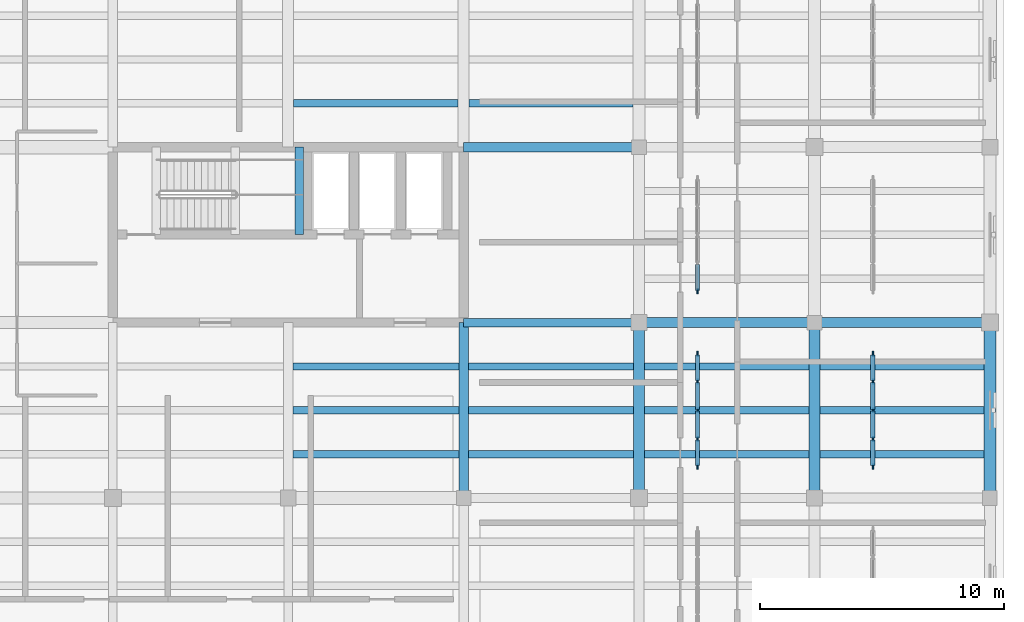
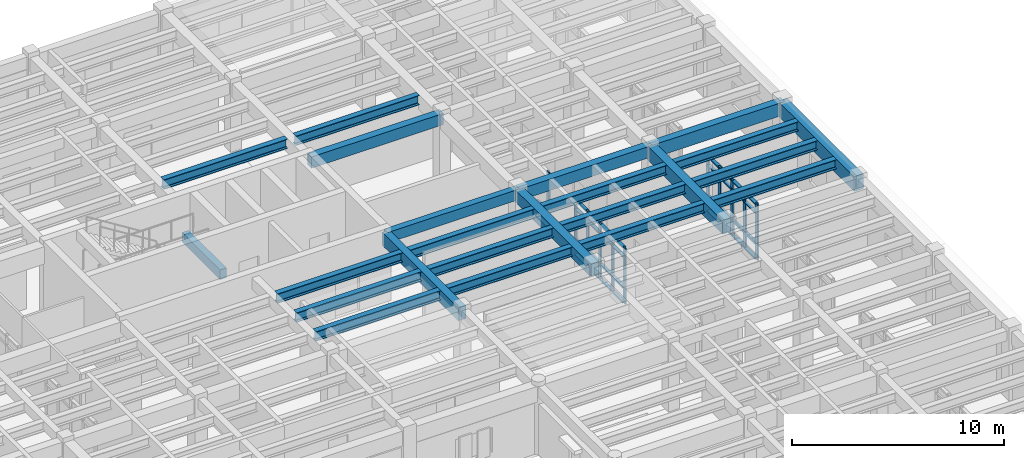
# One storey, part 20 of 66: 45 members, 23 beams, 3 elements without a shape of their own.
"""IFC4 building model written with IfcOpenShell, lengths in metres."""

import ifcopenshell
import ifcopenshell.guid

model = None  # the IFC model being written
_history = None  # IfcOwnerHistory: only IFC2X3 demands one
_inside = {}  # id of a spatial element -> (the spatial element, [elements in it])
_under = {}  # id of a project, library or spatial element -> (it, [spatial elements below it])
_declared = {}  # id of a project -> (the project, [libraries it declares])
_typed = {}  # id of a type object -> (the type object, [elements of that type])
_made_of = {}  # id of a material, layer set ... -> (it, [elements and type objects made of it])


def new_model(schema):
    """Start an empty IFC model of exactly this schema.

    Asked for "IFC4X3", IfcOpenShell would pick the latest addendum, in which some entities
    have other attributes; the version numbers below select the first issue.
    IFC2X3 requires an IfcOwnerHistory on every rooted entity: one is made here for all.
    """
    global model, _history
    if schema == "IFC4X3":
        model = ifcopenshell.file(schema_version=(4, 3, 0, 0))
    else:
        model = ifcopenshell.file(schema=schema)
    _inside.clear()
    _under.clear()
    _declared.clear()
    _typed.clear()
    _made_of.clear()
    _history = None
    if model.schema == "IFC2X3":
        org = make("IfcOrganization", Name="unknown")
        user = make(
            "IfcPersonAndOrganization",
            ThePerson=make("IfcPerson", FamilyName="unknown"),
            TheOrganization=org,
        )
        app = make(
            "IfcApplication",
            ApplicationDeveloper=org,
            Version="unknown",
            ApplicationFullName="unknown",
            ApplicationIdentifier="unknown",
        )
        _history = make(
            "IfcOwnerHistory",
            OwningUser=user,
            OwningApplication=app,
            ChangeAction="ADDED",
            CreationDate=0,
        )
    return model


def make(cls, **values):
    """One entity of the class cls with the attributes given. An attribute that is None is left unset."""
    return model.create_entity(
        cls, **{name: value for name, value in values.items() if value is not None}
    )


def rooted(cls, **values):
    """An entity with a GlobalId (a new one), such as an element, a storey or a relation."""
    return make(cls, GlobalId=ifcopenshell.guid.new(), OwnerHistory=_history, **values)


def si_unit(unit_type, name, prefix=None):
    """IfcSIUnit, for example si_unit("LENGTHUNIT", "METRE", prefix="MILLI")."""
    return make("IfcSIUnit", UnitType=unit_type, Prefix=prefix, Name=name)


def assignment(units):
    """IfcUnitAssignment: the units of a project."""
    return None if units is None else make("IfcUnitAssignment", Units=units)


def point(xyz):
    """IfcCartesianPoint."""
    return None if xyz is None else make("IfcCartesianPoint", Coordinates=xyz)


def direction(xyz):
    """IfcDirection."""
    return None if xyz is None else make("IfcDirection", DirectionRatios=xyz)


def frame(location, z_axis=None, x_axis=None):
    """IfcAxis2Placement3D, a coordinate frame: its origin and axes. An axis left out is left unset."""
    return make(
        "IfcAxis2Placement3D",
        Location=point(location),
        Axis=direction(z_axis),
        RefDirection=direction(x_axis),
    )


def frame_2d(location, x_axis=None):
    """IfcAxis2Placement2D, a coordinate frame in the plane: its origin and x axis."""
    return make(
        "IfcAxis2Placement2D", Location=point(location), RefDirection=direction(x_axis)
    )


def origin():
    """The frame at (0, 0, 0) with its axes left unset."""
    return frame((0.0, 0.0, 0.0))


def origin_2d():
    """The frame at (0, 0) in the plane with its x axis left unset."""
    return frame_2d((0.0, 0.0))


def place(relative_to, where):
    """IfcLocalPlacement: puts the frame where relative to a parent placement (None: the world)."""
    return make(
        "IfcLocalPlacement", PlacementRelTo=relative_to, RelativePlacement=where
    )


def context(
    kind, dimensions, precision=None, world=None, true_north=None, identifier=None
):
    """IfcGeometricRepresentationContext, for example the 3D "Model" context."""
    return make(
        "IfcGeometricRepresentationContext",
        ContextIdentifier=identifier,
        ContextType=kind,
        CoordinateSpaceDimension=dimensions,
        Precision=precision,
        WorldCoordinateSystem=world,
        TrueNorth=true_north,
    )


def subcontext(parent, identifier, kind, view, scale=None):
    """IfcGeometricRepresentationSubContext, for example "Body" below "Model"."""
    return make(
        "IfcGeometricRepresentationSubContext",
        ContextIdentifier=identifier,
        ContextType=kind,
        ParentContext=parent,
        TargetScale=scale,
        TargetView=view,
    )


def project(units=None, contexts=None):
    """IfcProject with its units and contexts."""
    return rooted(
        "IfcProject",
        Name="project",
        RepresentationContexts=contexts,
        UnitsInContext=assignment(units),
    )


def spatial(cls, under=None, at=None, **own):
    """A site, building, storey or space (cls), placed at a placement, below another one or the project."""
    s = rooted(cls, ObjectPlacement=at, **own)
    if under is not None:
        _under.setdefault(under.id(), (under, []))[1].append(s)
    return s


def profile(cls, at=None, kind="AREA", **sizes):
    """A parametric profile (cls). Its sizes go by their IFC names, for example OverallWidth=200.0."""
    return make(cls, ProfileType=kind, Position=at, **sizes)


def rectangle(**sizes):
    """IfcRectangleProfileDef."""
    return profile("IfcRectangleProfileDef", **sizes)


def i_section(**sizes):
    """IfcIShapeProfileDef."""
    return profile("IfcIShapeProfileDef", **sizes)


def extrude(swept, where, along, depth):
    """IfcExtrudedAreaSolid: the profile swept, set in the frame where, extruded along a direction by depth."""
    return make(
        "IfcExtrudedAreaSolid",
        SweptArea=swept,
        Position=where,
        ExtrudedDirection=direction(along),
        Depth=depth,
    )


def shape(context_of_items, identifier, shape_type, items):
    """IfcShapeRepresentation: the items that make up one representation, for example the "Body"."""
    return make(
        "IfcShapeRepresentation",
        ContextOfItems=context_of_items,
        RepresentationIdentifier=identifier,
        RepresentationType=shape_type,
        Items=items,
    )


def material(Name=None, Category=None):
    """IfcMaterial."""
    return make("IfcMaterial", Name=Name, Category=Category)


def material_profile(
    of_material, cross_section, Name=None, Category=None, Priority=None
):
    """IfcMaterialProfile: a cross section and its material."""
    return make(
        "IfcMaterialProfile",
        Name=Name,
        Material=of_material,
        Profile=cross_section,
        Priority=Priority,
        Category=Category,
    )


def profile_set(profiles, Name=None, composite=None):
    """IfcMaterialProfileSet."""
    return make(
        "IfcMaterialProfileSet",
        Name=Name,
        MaterialProfiles=profiles,
        CompositeProfile=composite,
    )


def made_of(thing, what):
    """Note that an element or type object is made of a material, layer set ...; save() writes the relation."""
    if what is not None:
        _made_of.setdefault(what.id(), (what, []))[1].append(thing)
    return thing


def type_object(cls, material=None, **own):
    """A type object (cls), such as IfcWallType, which elements share."""
    return made_of(rooted(cls, **own), material)


def element(
    cls,
    number,
    at=None,
    inside=None,
    cuts=None,
    type_object=None,
    material=None,
    context=None,
    identifier="Body",
    shape_type=None,
    held_by="IfcProductDefinitionShape",
    body=None,
    shapes=None,
    **own,
):
    """One element of the class cls, such as IfcWall. Its Tag is "e" and its number.

    at: its placement. inside: the storey or other place that contains it. cuts: it is an
    opening in that element (IfcRelVoidsElement). A single representation is given by context,
    identifier, shape_type and body (its items); several are given by shapes. held_by: the class
    of the entity that holds the representations. save() writes the other relations.
    """
    e = rooted(cls, Tag="e%d" % number, ObjectPlacement=at, **own)
    if body is not None:
        shapes = [shape(context, identifier, shape_type, body)]
    if shapes is not None:
        e.Representation = make(held_by, Representations=shapes)
    if inside is not None:
        _inside.setdefault(inside.id(), (inside, []))[1].append(e)
    if cuts is not None:
        rooted(
            "IfcRelVoidsElement", RelatingBuildingElement=cuts, RelatedOpeningElement=e
        )
    if type_object is not None:
        _typed.setdefault(type_object.id(), (type_object, []))[1].append(e)
    return made_of(e, material)


def aggregate(whole, parts):
    """IfcRelAggregates: a whole, such as a stair, and the parts it consists of."""
    return rooted("IfcRelAggregates", RelatingObject=whole, RelatedObjects=parts)


def save(model, path):
    """Write the relations noted so far, then the file.

    IfcRelAggregates (storeys below a building ...), IfcRelContainedInSpatialStructure (elements
    in a storey), IfcRelDefinesByType, IfcRelAssociatesMaterial and IfcRelDeclares: one each for
    every whole, place, type object, material and project.
    """
    for whole, parts in _under.values():
        aggregate(whole, parts)
    for where, things in _inside.values():
        rooted(
            "IfcRelContainedInSpatialStructure",
            RelatedElements=things,
            RelatingStructure=where,
        )
    for kind, things in _typed.values():
        rooted("IfcRelDefinesByType", RelatedObjects=things, RelatingType=kind)
    for what, things in _made_of.values():
        rooted("IfcRelAssociatesMaterial", RelatedObjects=things, RelatingMaterial=what)
    for by, libraries in _declared.values():
        rooted("IfcRelDeclares", RelatingContext=by, RelatedDefinitions=libraries)
    model.write(path)


model = new_model("IFC4")

# Units and contexts
model_context = context("Model", 3, precision=1e-05, world=origin(), true_north=direction((0.0, 1.0)))
body_context = subcontext(model_context, "Body", "Model", "MODEL_VIEW")
ifc_project = project(units=[si_unit("LENGTHUNIT", "METRE"), si_unit("AREAUNIT", "SQUARE_METRE"), si_unit("VOLUMEUNIT", "CUBIC_METRE"), si_unit("PLANEANGLEUNIT", "RADIAN"), si_unit("MASSUNIT", "GRAM", prefix="KILO")], contexts=[model_context])

# Site, building, storey
site_placement = place(None, origin())
site = spatial("IfcSite", under=ifc_project, at=site_placement, CompositionType="ELEMENT")
building_placement = place(site_placement, origin())
building = spatial("IfcBuilding", under=site, at=building_placement, Name="Mithqara Police Headquarters", CompositionType="ELEMENT")
storey_placement = place(building_placement, frame((0.0, 0.0, 9.60009765625)))
storey = spatial("IfcBuildingStorey", under=building, at=storey_placement, Name="L02", CompositionType="ELEMENT", Elevation=9.60009765625)

# Beams
ifc_material_1 = material(Name="Steel S355JR", Category="steel")
ifc_material_profile_1 = material_profile(ifc_material_1, i_section(OverallWidth=0.300048828125, OverallDepth=0.550048828125, WebThickness=0.014892578125, FlangeThickness=0.029052734375, FilletRadius=0.027099609375, at=origin_2d()), Name="HEB 550")
ifc_profile_set_1 = profile_set([ifc_material_profile_1], Name="Steel S355JR")
beam_type_1 = type_object("IfcBeamType", Name="BEAM HEB550", PredefinedType="BEAM", material=ifc_profile_set_1)
for number, where, z_axis, x_axis, name in (
    (1, (137.60009765625, 87.60009765625, 3.664794921875), (1.0, 0.0, 0.0), (0.0, 1.0, 0.0), "L02 Composite Steel Joist 20-21/N.1"),
    (2, (137.60009765625, 89.39990234375, 3.664794921875), (1.0, 0.0, 0.0), (0.0, 1.0, 0.0), "L02 Composite Steel Joist 20-21/N.2"),
    (3, (137.60009765625, 91.199951171875, 3.664794921875), (1.0, 0.0, 0.0), (0.0, 1.0, 0.0), "L02 Composite Steel Joist 20-21/N.3"),
):
    element("IfcBeam", number, at=place(storey_placement, frame(where, z_axis=z_axis, x_axis=x_axis)), inside=storey, type_object=beam_type_1, Name=name, PredefinedType="BEAM", context=body_context, shape_type="SweptSolid", body=[
        extrude(i_section(OverallWidth=0.300048828125, OverallDepth=0.550048828125, WebThickness=0.014892578125, FlangeThickness=0.029052734375, FilletRadius=0.027099609375, at=origin_2d()), origin(), (0.0, 0.0, 1.0), 6.7998046875),
    ])
beam_1_placement = place(storey_placement, frame((137.625, 102.0, 3.664794921875), z_axis=(1.0, 0.0, 0.0), x_axis=(0.0, 1.0, 0.0)))
element("IfcBeam", 4, at=beam_1_placement, inside=storey, type_object=beam_type_1, Name="L02 Composite Steel Joist 20-21/Q.1", PredefinedType="BEAM", context=body_context, shape_type="SweptSolid", body=[
    extrude(i_section(OverallWidth=0.300048828125, OverallDepth=0.550048828125, WebThickness=0.014892578125, FlangeThickness=0.029052734375, FilletRadius=0.027099609375, at=origin_2d()), origin(), (0.0, 0.0, 1.0), 6.75),
])
for number, where, z_axis, x_axis, name in (
    (5, (144.800048828125, 87.60009765625, 3.664794921875), (1.0, 0.0, 0.0), (0.0, 1.0, 0.0), "L02 Composite Steel Joist 21-22/N.1"),
    (6, (144.800048828125, 89.39990234375, 3.664794921875), (1.0, 0.0, 0.0), (0.0, 1.0, 0.0), "L02 Composite Steel Joist 21-22/N.2"),
    (7, (144.800048828125, 91.199951171875, 3.664794921875), (1.0, 0.0, 0.0), (0.0, 1.0, 0.0), "L02 Composite Steel Joist 21-22/N.3"),
):
    element("IfcBeam", number, at=place(storey_placement, frame(where, z_axis=z_axis, x_axis=x_axis)), inside=storey, type_object=beam_type_1, Name=name, PredefinedType="BEAM", context=body_context, shape_type="SweptSolid", body=[
        extrude(i_section(OverallWidth=0.300048828125, OverallDepth=0.550048828125, WebThickness=0.014892578125, FlangeThickness=0.029052734375, FilletRadius=0.027099609375, at=origin_2d()), origin(), (0.0, 0.0, 1.0), 6.77490234375),
    ])
beam_2_placement = place(storey_placement, frame((144.824951171875, 102.0, 3.664794921875), z_axis=(1.0, 0.0, 0.0), x_axis=(0.0, 1.0, 0.0)))
element("IfcBeam", 8, at=beam_2_placement, inside=storey, type_object=beam_type_1, Name="L02 Composite Steel Joist 21-22/Q.1", PredefinedType="BEAM", context=body_context, shape_type="SweptSolid", body=[
    extrude(i_section(OverallWidth=0.300048828125, OverallDepth=0.550048828125, WebThickness=0.014892578125, FlangeThickness=0.029052734375, FilletRadius=0.027099609375, at=origin_2d()), origin(), (0.0, 0.0, 1.0), 6.72509765625),
])
for number, where, z_axis, x_axis, name in (
    (9, (152.02490234375, 87.60009765625, 3.664794921875), (1.0, 0.0, 0.0), (0.0, 1.0, 0.0), "L02 Composite Steel Joist 22-23/N.1"),
    (10, (152.02490234375, 89.39990234375, 3.664794921875), (1.0, 0.0, 0.0), (0.0, 1.0, 0.0), "L02 Composite Steel Joist 22-23/N.2"),
    (11, (152.02490234375, 91.199951171875, 3.664794921875), (1.0, 0.0, 0.0), (0.0, 1.0, 0.0), "L02 Composite Steel Joist 22-23/N.3"),
):
    element("IfcBeam", number, at=place(storey_placement, frame(where, z_axis=z_axis, x_axis=x_axis)), inside=storey, type_object=beam_type_1, Name=name, PredefinedType="BEAM", context=body_context, shape_type="SweptSolid", body=[
        extrude(i_section(OverallWidth=0.300048828125, OverallDepth=0.550048828125, WebThickness=0.014892578125, FlangeThickness=0.029052734375, FilletRadius=0.027099609375, at=origin_2d()), origin(), (0.0, 0.0, 1.0), 6.75),
    ])
for number, where, z_axis, x_axis, name in (
    (12, (159.22509765625, 87.60009765625, 3.664794921875), (1.0, 0.0, 0.0), (0.0, 1.0, 0.0), "L02 Composite Steel Joist 23-24/N.1"),
    (13, (159.22509765625, 89.39990234375, 3.664794921875), (1.0, 0.0, 0.0), (0.0, 1.0, 0.0), "L02 Composite Steel Joist 23-24/N.2"),
    (14, (159.22509765625, 91.199951171875, 3.664794921875), (1.0, 0.0, 0.0), (0.0, 1.0, 0.0), "L02 Composite Steel Joist 23-24/N.3"),
):
    element("IfcBeam", number, at=place(storey_placement, frame(where, z_axis=z_axis, x_axis=x_axis)), inside=storey, type_object=beam_type_1, Name=name, PredefinedType="BEAM", context=body_context, shape_type="SweptSolid", body=[
        extrude(i_section(OverallWidth=0.300048828125, OverallDepth=0.550048828125, WebThickness=0.014892578125, FlangeThickness=0.029052734375, FilletRadius=0.027099609375, at=origin_2d()), origin(), (0.0, 0.0, 1.0), 6.724853515625),
    ])
ifc_material_2 = material(Name="Concrete C40/50", Category="concrete")
ifc_material_profile_2 = material_profile(ifc_material_2, rectangle(XDim=0.35009765625, YDim=0.550048828125, at=origin_2d()), Name="RC 350x550")
ifc_profile_set_2 = profile_set([ifc_material_profile_2], Name="Concrete C40/50")
beam_type_2 = type_object("IfcBeamType", Name="BEAM RC350X550", PredefinedType="BEAM", material=ifc_profile_set_2)
beam_3_placement = place(storey_placement, frame((137.85009765625, 96.6201171875, 1.635009765625), z_axis=(0.0, 1.0, 0.0), x_axis=(-1.0, 0.0, 0.0)))
element("IfcBeam", 15, at=beam_3_placement, inside=storey, type_object=beam_type_2, Name="L02 ST-02 Half-Landing Bearer LB", PredefinedType="BEAM", context=body_context, shape_type="SweptSolid", body=[
    extrude(rectangle(XDim=0.35009765625, YDim=0.550048828125, at=origin_2d()), origin(), (0.0, 0.0, 1.0), 3.579833984375),
])
ifc_material_profile_3 = material_profile(ifc_material_2, rectangle(XDim=0.35009765625, YDim=0.60009765625, at=origin_2d()), Name="RC 350x600")
ifc_profile_set_3 = profile_set([ifc_material_profile_3], Name="Concrete C40/50")
beam_type_3 = type_object("IfcBeamType", Name="BEAM RC350X600", PredefinedType="BEAM", material=ifc_profile_set_3)
beam_4_placement = place(storey_placement, frame((144.60009765625, 93.0, 3.639892578125), z_axis=(1.0, 0.0, 0.0), x_axis=(0.0, 1.0, 0.0)))
element("IfcBeam", 16, at=beam_4_placement, inside=storey, type_object=beam_type_3, Name="L02 Girder 21-22/P", PredefinedType="BEAM", context=body_context, shape_type="SweptSolid", body=[
    extrude(rectangle(XDim=0.35009765625, YDim=0.60009765625, at=origin_2d()), origin(), (0.0, 0.0, 1.0), 7.199951171875),
])
ifc_material_profile_4 = material_profile(ifc_material_2, rectangle(XDim=0.39990234375, YDim=0.64990234375, at=origin_2d()), Name="RC 400x650")
ifc_profile_set_4 = profile_set([ifc_material_profile_4], Name="Concrete C40/50")
beam_type_4 = type_object("IfcBeamType", Name="BEAM RC400X650", PredefinedType="BEAM", material=ifc_profile_set_4)
for number, where, z_axis, x_axis, name in (
    (17, (144.60009765625, 100.199951171875, 3.614990234375), (1.0, 0.0, 0.0), (0.0, 1.0, 0.0), "L02 Girder 21-22/Q"),
    (18, (151.800048828125, 93.0, 3.614990234375), (1.0, 0.0, 0.0), (0.0, 1.0, 0.0), "L02 Girder 22-23/P"),
):
    element("IfcBeam", number, at=place(storey_placement, frame(where, z_axis=z_axis, x_axis=x_axis)), inside=storey, type_object=beam_type_4, Name=name, PredefinedType="BEAM", context=body_context, shape_type="SweptSolid", body=[
        extrude(rectangle(XDim=0.39990234375, YDim=0.64990234375, at=origin_2d()), origin(), (0.0, 0.0, 1.0), 7.199951171875),
    ])
ifc_material_profile_5 = material_profile(ifc_material_2, rectangle(XDim=0.39990234375, YDim=0.75, at=origin_2d()), Name="RC 400x750")
ifc_profile_set_5 = profile_set([ifc_material_profile_5], Name="Concrete C40/50")
beam_type_5 = type_object("IfcBeamType", Name="BEAM RC400X750", PredefinedType="BEAM", material=ifc_profile_set_5)
for number, where, z_axis, x_axis, name in (
    (19, (144.60009765625, 85.800048828125, 3.56494140625), (0.0, 1.0, 0.0), (-1.0, 0.0, 0.0), "L02 Girder 21/N-P"),
    (20, (159.0, 93.0, 3.56494140625), (1.0, 0.0, 0.0), (0.0, 1.0, 0.0), "L02 Girder 23-24/P"),
):
    element("IfcBeam", number, at=place(storey_placement, frame(where, z_axis=z_axis, x_axis=x_axis)), inside=storey, type_object=beam_type_5, Name=name, PredefinedType="BEAM", context=body_context, shape_type="SweptSolid", body=[
        extrude(rectangle(XDim=0.39990234375, YDim=0.75, at=origin_2d()), origin(), (0.0, 0.0, 1.0), 7.199951171875),
    ])
ifc_material_profile_6 = material_profile(ifc_material_2, rectangle(XDim=0.449951171875, YDim=0.699951171875, at=origin_2d()), Name="RC 450x700")
ifc_profile_set_6 = profile_set([ifc_material_profile_6], Name="Concrete C40/50")
beam_type_6 = type_object("IfcBeamType", Name="BEAM RC450X700", PredefinedType="BEAM", material=ifc_profile_set_6)
beam_5_placement = place(storey_placement, frame((151.800048828125, 85.800048828125, 3.58984375), z_axis=(0.0, 1.0, 0.0), x_axis=(-1.0, 0.0, 0.0)))
element("IfcBeam", 21, at=beam_5_placement, inside=storey, type_object=beam_type_6, Name="L02 Girder 22/N-P", PredefinedType="BEAM", context=body_context, shape_type="SweptSolid", body=[
    extrude(rectangle(XDim=0.449951171875, YDim=0.699951171875, at=origin_2d()), origin(), (0.0, 0.0, 1.0), 7.199951171875),
])
ifc_material_profile_7 = material_profile(ifc_material_2, rectangle(XDim=0.449951171875, YDim=0.800048828125, at=origin_2d()), Name="RC 450x800")
ifc_profile_set_7 = profile_set([ifc_material_profile_7], Name="Concrete C40/50")
beam_type_7 = type_object("IfcBeamType", Name="BEAM RC450X800", PredefinedType="BEAM", material=ifc_profile_set_7)
beam_6_placement = place(storey_placement, frame((159.0, 85.800048828125, 3.539794921875), z_axis=(0.0, 1.0, 0.0), x_axis=(-1.0, 0.0, 0.0)))
element("IfcBeam", 22, at=beam_6_placement, inside=storey, type_object=beam_type_7, Name="L02 Girder 23/N-P", PredefinedType="BEAM", context=body_context, shape_type="SweptSolid", body=[
    extrude(rectangle(XDim=0.449951171875, YDim=0.800048828125, at=origin_2d()), origin(), (0.0, 0.0, 1.0), 7.199951171875),
])
ifc_material_profile_8 = material_profile(ifc_material_2, rectangle(XDim=0.5, YDim=0.85009765625, at=origin_2d()), Name="RC 500x850")
ifc_profile_set_8 = profile_set([ifc_material_profile_8], Name="Concrete C40/50")
beam_type_8 = type_object("IfcBeamType", Name="BEAM RC500X850", PredefinedType="BEAM", material=ifc_profile_set_8)
beam_7_placement = place(storey_placement, frame((166.199951171875, 85.800048828125, 3.514892578125), z_axis=(0.0, 1.0, 0.0), x_axis=(-1.0, 0.0, 0.0)))
element("IfcBeam", 23, at=beam_7_placement, inside=storey, type_object=beam_type_8, Name="L02 Girder 24/N-P", PredefinedType="BEAM", context=body_context, shape_type="SweptSolid", body=[
    extrude(rectangle(XDim=0.5, YDim=0.85009765625, at=origin_2d()), origin(), (0.0, 0.0, 1.0), 7.199951171875),
])

# Curtain wall, members
ifc_material_3 = material(Name="Bronze anodised aluminium 6063-T6", Category="aluminium")
curtain_wall_type = type_object("IfcCurtainWallType", Name="CURTAIN WALL 4700X3220", PredefinedType="USERDEFINED", material=ifc_material_3)
curtain_wall_1_placement = place(storey_placement, origin())
curtain_wall_1 = element("IfcCurtainWall", 24, at=curtain_wall_1_placement, inside=storey, type_object=curtain_wall_type, Name="L02 Unitised Glazing CW-16 (CW-INT-L02-X21-Y12-0)", ObjectType="UNITISED GLAZING", PredefinedType="USERDEFINED")
ifc_material_profile_9 = material_profile(ifc_material_3, rectangle(XDim=0.074951171875, YDim=0.219970703125, at=origin_2d()), Name="CWM 75x220")
ifc_profile_set_9 = profile_set([ifc_material_profile_9], Name="Bronze anodised aluminium 6063-T6")
member_type_1 = type_object("IfcMemberType", Name="CWMULLION 75X220", PredefinedType="MULLION", material=ifc_profile_set_9)
member_1_placement = place(storey_placement, frame((154.199951171875, 87.08740234375, 0.0), z_axis=(0.0, 0.0, 1.0), x_axis=(-1.0, 0.0, 0.0)))
member_1 = element("IfcMember", 25, at=member_1_placement, type_object=member_type_1, Name="CW-16 mullion 1", PredefinedType="MULLION", context=body_context, shape_type="SweptSolid", body=[
    extrude(rectangle(XDim=0.074951171875, YDim=0.219970703125, at=origin_2d()), origin(), (0.0, 0.0, 1.0), 3.219970703125),
])
member_2_placement = place(storey_placement, frame((154.199951171875, 88.22509765625, 0.0), z_axis=(0.0, 0.0, 1.0), x_axis=(-1.0, 0.0, 0.0)))
member_2 = element("IfcMember", 26, at=member_2_placement, type_object=member_type_1, Name="CW-16 mullion 2", PredefinedType="MULLION", context=body_context, shape_type="SweptSolid", body=[
    extrude(rectangle(XDim=0.074951171875, YDim=0.219970703125, at=origin_2d()), origin(), (0.0, 0.0, 1.0), 3.219970703125),
])
member_3_placement = place(storey_placement, frame((154.199951171875, 89.39990234375, 0.0), z_axis=(0.0, 0.0, 1.0), x_axis=(-1.0, 0.0, 0.0)))
member_3 = element("IfcMember", 27, at=member_3_placement, type_object=member_type_1, Name="CW-16 mullion 3", PredefinedType="MULLION", context=body_context, shape_type="SweptSolid", body=[
    extrude(rectangle(XDim=0.074951171875, YDim=0.219970703125, at=origin_2d()), origin(), (0.0, 0.0, 1.0), 3.219970703125),
])
member_4_placement = place(storey_placement, frame((154.199951171875, 90.574951171875, 0.0), z_axis=(0.0, 0.0, 1.0), x_axis=(-1.0, 0.0, 0.0)))
member_4 = element("IfcMember", 28, at=member_4_placement, type_object=member_type_1, Name="CW-16 mullion 4", PredefinedType="MULLION", context=body_context, shape_type="SweptSolid", body=[
    extrude(rectangle(XDim=0.074951171875, YDim=0.219970703125, at=origin_2d()), origin(), (0.0, 0.0, 1.0), 3.219970703125),
])
member_5_placement = place(storey_placement, frame((154.199951171875, 91.71240234375, 0.0), z_axis=(0.0, 0.0, 1.0), x_axis=(-1.0, 0.0, 0.0)))
member_5 = element("IfcMember", 29, at=member_5_placement, type_object=member_type_1, Name="CW-16 mullion 5", PredefinedType="MULLION", context=body_context, shape_type="SweptSolid", body=[
    extrude(rectangle(XDim=0.074951171875, YDim=0.219970703125, at=origin_2d()), origin(), (0.0, 0.0, 1.0), 3.219970703125),
])

# Curtain wall, member
curtain_wall_2_placement = place(storey_placement, origin())
curtain_wall_2 = element("IfcCurtainWall", 30, at=curtain_wall_2_placement, inside=storey, type_object=curtain_wall_type, Name="L02 Unitised Glazing CW-16 (CW-INT-L02-X21-Y13-0)", ObjectType="UNITISED GLAZING", PredefinedType="USERDEFINED")
member_6_placement = place(storey_placement, frame((154.199951171875, 94.28759765625, 0.0), z_axis=(0.0, 0.0, 1.0), x_axis=(-1.0, 0.0, 0.0)))
member_6 = element("IfcMember", 31, at=member_6_placement, type_object=member_type_1, Name="CW-16 mullion 1", PredefinedType="MULLION", context=body_context, shape_type="SweptSolid", body=[
    extrude(rectangle(XDim=0.074951171875, YDim=0.219970703125, at=origin_2d()), origin(), (0.0, 0.0, 1.0), 3.219970703125),
])

# Curtain wall, members
curtain_wall_3_placement = place(storey_placement, origin())
curtain_wall_3 = element("IfcCurtainWall", 32, at=curtain_wall_3_placement, inside=storey, type_object=curtain_wall_type, Name="L02 Unitised Glazing CW-16 (CW-INT-L02-X22-Y12-0)", ObjectType="UNITISED GLAZING", PredefinedType="USERDEFINED")
member_7_placement = place(storey_placement, frame((161.39990234375, 87.08740234375, 0.0), z_axis=(0.0, 0.0, 1.0), x_axis=(-1.0, 0.0, 0.0)))
member_7 = element("IfcMember", 33, at=member_7_placement, type_object=member_type_1, Name="CW-16 mullion 1", PredefinedType="MULLION", context=body_context, shape_type="SweptSolid", body=[
    extrude(rectangle(XDim=0.074951171875, YDim=0.219970703125, at=origin_2d()), origin(), (0.0, 0.0, 1.0), 3.219970703125),
])
member_8_placement = place(storey_placement, frame((161.39990234375, 88.22509765625, 0.0), z_axis=(0.0, 0.0, 1.0), x_axis=(-1.0, 0.0, 0.0)))
member_8 = element("IfcMember", 34, at=member_8_placement, type_object=member_type_1, Name="CW-16 mullion 2", PredefinedType="MULLION", context=body_context, shape_type="SweptSolid", body=[
    extrude(rectangle(XDim=0.074951171875, YDim=0.219970703125, at=origin_2d()), origin(), (0.0, 0.0, 1.0), 3.219970703125),
])
member_9_placement = place(storey_placement, frame((161.39990234375, 89.39990234375, 0.0), z_axis=(0.0, 0.0, 1.0), x_axis=(-1.0, 0.0, 0.0)))
member_9 = element("IfcMember", 35, at=member_9_placement, type_object=member_type_1, Name="CW-16 mullion 3", PredefinedType="MULLION", context=body_context, shape_type="SweptSolid", body=[
    extrude(rectangle(XDim=0.074951171875, YDim=0.219970703125, at=origin_2d()), origin(), (0.0, 0.0, 1.0), 3.219970703125),
])
member_10_placement = place(storey_placement, frame((161.39990234375, 90.574951171875, 0.0), z_axis=(0.0, 0.0, 1.0), x_axis=(-1.0, 0.0, 0.0)))
member_10 = element("IfcMember", 36, at=member_10_placement, type_object=member_type_1, Name="CW-16 mullion 4", PredefinedType="MULLION", context=body_context, shape_type="SweptSolid", body=[
    extrude(rectangle(XDim=0.074951171875, YDim=0.219970703125, at=origin_2d()), origin(), (0.0, 0.0, 1.0), 3.219970703125),
])
member_11_placement = place(storey_placement, frame((161.39990234375, 91.71240234375, 0.0), z_axis=(0.0, 0.0, 1.0), x_axis=(-1.0, 0.0, 0.0)))
member_11 = element("IfcMember", 37, at=member_11_placement, type_object=member_type_1, Name="CW-16 mullion 5", PredefinedType="MULLION", context=body_context, shape_type="SweptSolid", body=[
    extrude(rectangle(XDim=0.074951171875, YDim=0.219970703125, at=origin_2d()), origin(), (0.0, 0.0, 1.0), 3.219970703125),
])

# Member
ifc_material_profile_10 = material_profile(ifc_material_3, rectangle(XDim=0.179931640625, YDim=0.074951171875, at=origin_2d()), Name="CWT 180x75")
ifc_profile_set_10 = profile_set([ifc_material_profile_10], Name="Bronze anodised aluminium 6063-T6")
member_type_2 = type_object("IfcMemberType", Name="CWTRANSOM 180X75", PredefinedType="USERDEFINED", material=ifc_profile_set_10)
member_12_placement = place(storey_placement, frame((154.199951171875, 87.125, 0.037353515625), z_axis=(0.0, 1.0, 0.0), x_axis=(-1.0, 0.0, 0.0)))
member_12 = element("IfcMember", 38, at=member_12_placement, type_object=member_type_2, Name="CW-16 transom 1.1", ObjectType="TRANSOM", PredefinedType="USERDEFINED", context=body_context, shape_type="SweptSolid", body=[
    extrude(rectangle(XDim=0.179931640625, YDim=0.074951171875, at=origin_2d()), origin(), (0.0, 0.0, 1.0), 1.0625),
])

member_13_placement = place(storey_placement, frame((154.199951171875, 87.125, 0.89990234375), z_axis=(0.0, 1.0, 0.0), x_axis=(-1.0, 0.0, 0.0)))
member_13 = element("IfcMember", 39, at=member_13_placement, type_object=member_type_2, Name="CW-16 transom 1.2", ObjectType="TRANSOM", PredefinedType="USERDEFINED", context=body_context, shape_type="SweptSolid", body=[
    extrude(rectangle(XDim=0.179931640625, YDim=0.074951171875, at=origin_2d()), origin(), (0.0, 0.0, 1.0), 1.0625),
])

member_14_placement = place(storey_placement, frame((154.199951171875, 87.125, 2.669921875), z_axis=(0.0, 1.0, 0.0), x_axis=(-1.0, 0.0, 0.0)))
member_14 = element("IfcMember", 40, at=member_14_placement, type_object=member_type_2, Name="CW-16 transom 1.3", ObjectType="TRANSOM", PredefinedType="USERDEFINED", context=body_context, shape_type="SweptSolid", body=[
    extrude(rectangle(XDim=0.179931640625, YDim=0.074951171875, at=origin_2d()), origin(), (0.0, 0.0, 1.0), 1.0625),
])

member_15_placement = place(storey_placement, frame((154.199951171875, 87.125, 3.182373046875), z_axis=(0.0, 1.0, 0.0), x_axis=(-1.0, 0.0, 0.0)))
member_15 = element("IfcMember", 41, at=member_15_placement, type_object=member_type_2, Name="CW-16 transom 1.4", ObjectType="TRANSOM", PredefinedType="USERDEFINED", context=body_context, shape_type="SweptSolid", body=[
    extrude(rectangle(XDim=0.179931640625, YDim=0.074951171875, at=origin_2d()), origin(), (0.0, 0.0, 1.0), 1.0625),
])

member_16_placement = place(storey_placement, frame((154.199951171875, 88.262451171875, 0.037353515625), z_axis=(0.0, 1.0, 0.0), x_axis=(-1.0, 0.0, 0.0)))
member_16 = element("IfcMember", 42, at=member_16_placement, type_object=member_type_2, Name="CW-16 transom 2.1", ObjectType="TRANSOM", PredefinedType="USERDEFINED", context=body_context, shape_type="SweptSolid", body=[
    extrude(rectangle(XDim=0.179931640625, YDim=0.074951171875, at=origin_2d()), origin(), (0.0, 0.0, 1.0), 1.10009765625),
])

member_17_placement = place(storey_placement, frame((154.199951171875, 88.262451171875, 0.89990234375), z_axis=(0.0, 1.0, 0.0), x_axis=(-1.0, 0.0, 0.0)))
member_17 = element("IfcMember", 43, at=member_17_placement, type_object=member_type_2, Name="CW-16 transom 2.2", ObjectType="TRANSOM", PredefinedType="USERDEFINED", context=body_context, shape_type="SweptSolid", body=[
    extrude(rectangle(XDim=0.179931640625, YDim=0.074951171875, at=origin_2d()), origin(), (0.0, 0.0, 1.0), 1.10009765625),
])

member_18_placement = place(storey_placement, frame((154.199951171875, 88.262451171875, 2.669921875), z_axis=(0.0, 1.0, 0.0), x_axis=(-1.0, 0.0, 0.0)))
member_18 = element("IfcMember", 44, at=member_18_placement, type_object=member_type_2, Name="CW-16 transom 2.3", ObjectType="TRANSOM", PredefinedType="USERDEFINED", context=body_context, shape_type="SweptSolid", body=[
    extrude(rectangle(XDim=0.179931640625, YDim=0.074951171875, at=origin_2d()), origin(), (0.0, 0.0, 1.0), 1.10009765625),
])

member_19_placement = place(storey_placement, frame((154.199951171875, 88.262451171875, 3.182373046875), z_axis=(0.0, 1.0, 0.0), x_axis=(-1.0, 0.0, 0.0)))
member_19 = element("IfcMember", 45, at=member_19_placement, type_object=member_type_2, Name="CW-16 transom 2.4", ObjectType="TRANSOM", PredefinedType="USERDEFINED", context=body_context, shape_type="SweptSolid", body=[
    extrude(rectangle(XDim=0.179931640625, YDim=0.074951171875, at=origin_2d()), origin(), (0.0, 0.0, 1.0), 1.10009765625),
])

member_20_placement = place(storey_placement, frame((154.199951171875, 89.4375, 0.037353515625), z_axis=(0.0, 1.0, 0.0), x_axis=(-1.0, 0.0, 0.0)))
member_20 = element("IfcMember", 46, at=member_20_placement, type_object=member_type_2, Name="CW-16 transom 3.1", ObjectType="TRANSOM", PredefinedType="USERDEFINED", context=body_context, shape_type="SweptSolid", body=[
    extrude(rectangle(XDim=0.179931640625, YDim=0.074951171875, at=origin_2d()), origin(), (0.0, 0.0, 1.0), 1.10009765625),
])

member_21_placement = place(storey_placement, frame((154.199951171875, 89.4375, 0.89990234375), z_axis=(0.0, 1.0, 0.0), x_axis=(-1.0, 0.0, 0.0)))
member_21 = element("IfcMember", 47, at=member_21_placement, type_object=member_type_2, Name="CW-16 transom 3.2", ObjectType="TRANSOM", PredefinedType="USERDEFINED", context=body_context, shape_type="SweptSolid", body=[
    extrude(rectangle(XDim=0.179931640625, YDim=0.074951171875, at=origin_2d()), origin(), (0.0, 0.0, 1.0), 1.10009765625),
])

member_22_placement = place(storey_placement, frame((154.199951171875, 89.4375, 2.669921875), z_axis=(0.0, 1.0, 0.0), x_axis=(-1.0, 0.0, 0.0)))
member_22 = element("IfcMember", 48, at=member_22_placement, type_object=member_type_2, Name="CW-16 transom 3.3", ObjectType="TRANSOM", PredefinedType="USERDEFINED", context=body_context, shape_type="SweptSolid", body=[
    extrude(rectangle(XDim=0.179931640625, YDim=0.074951171875, at=origin_2d()), origin(), (0.0, 0.0, 1.0), 1.10009765625),
])

member_23_placement = place(storey_placement, frame((154.199951171875, 89.4375, 3.182373046875), z_axis=(0.0, 1.0, 0.0), x_axis=(-1.0, 0.0, 0.0)))
member_23 = element("IfcMember", 49, at=member_23_placement, type_object=member_type_2, Name="CW-16 transom 3.4", ObjectType="TRANSOM", PredefinedType="USERDEFINED", context=body_context, shape_type="SweptSolid", body=[
    extrude(rectangle(XDim=0.179931640625, YDim=0.074951171875, at=origin_2d()), origin(), (0.0, 0.0, 1.0), 1.10009765625),
])

member_24_placement = place(storey_placement, frame((154.199951171875, 90.612548828125, 0.037353515625), z_axis=(0.0, 1.0, 0.0), x_axis=(-1.0, 0.0, 0.0)))
member_24 = element("IfcMember", 50, at=member_24_placement, type_object=member_type_2, Name="CW-16 transom 4.1", ObjectType="TRANSOM", PredefinedType="USERDEFINED", context=body_context, shape_type="SweptSolid", body=[
    extrude(rectangle(XDim=0.179931640625, YDim=0.074951171875, at=origin_2d()), origin(), (0.0, 0.0, 1.0), 1.0625),
])

member_25_placement = place(storey_placement, frame((154.199951171875, 90.612548828125, 0.89990234375), z_axis=(0.0, 1.0, 0.0), x_axis=(-1.0, 0.0, 0.0)))
member_25 = element("IfcMember", 51, at=member_25_placement, type_object=member_type_2, Name="CW-16 transom 4.2", ObjectType="TRANSOM", PredefinedType="USERDEFINED", context=body_context, shape_type="SweptSolid", body=[
    extrude(rectangle(XDim=0.179931640625, YDim=0.074951171875, at=origin_2d()), origin(), (0.0, 0.0, 1.0), 1.0625),
])

member_26_placement = place(storey_placement, frame((154.199951171875, 90.612548828125, 2.669921875), z_axis=(0.0, 1.0, 0.0), x_axis=(-1.0, 0.0, 0.0)))
member_26 = element("IfcMember", 52, at=member_26_placement, type_object=member_type_2, Name="CW-16 transom 4.3", ObjectType="TRANSOM", PredefinedType="USERDEFINED", context=body_context, shape_type="SweptSolid", body=[
    extrude(rectangle(XDim=0.179931640625, YDim=0.074951171875, at=origin_2d()), origin(), (0.0, 0.0, 1.0), 1.0625),
])

member_27_placement = place(storey_placement, frame((154.199951171875, 90.612548828125, 3.182373046875), z_axis=(0.0, 1.0, 0.0), x_axis=(-1.0, 0.0, 0.0)))
member_27 = element("IfcMember", 53, at=member_27_placement, type_object=member_type_2, Name="CW-16 transom 4.4", ObjectType="TRANSOM", PredefinedType="USERDEFINED", context=body_context, shape_type="SweptSolid", body=[
    extrude(rectangle(XDim=0.179931640625, YDim=0.074951171875, at=origin_2d()), origin(), (0.0, 0.0, 1.0), 1.0625),
])

aggregate(curtain_wall_1, [member_1, member_2, member_3, member_4, member_5, member_12, member_13, member_14, member_15, member_16, member_17, member_18, member_19, member_20, member_21, member_22, member_23, member_24, member_25, member_26, member_27])

member_28_placement = place(storey_placement, frame((154.199951171875, 94.324951171875, 0.037353515625), z_axis=(0.0, 1.0, 0.0), x_axis=(-1.0, 0.0, 0.0)))
member_28 = element("IfcMember", 54, at=member_28_placement, type_object=member_type_2, Name="CW-16 transom 1.1", ObjectType="TRANSOM", PredefinedType="USERDEFINED", context=body_context, shape_type="SweptSolid", body=[
    extrude(rectangle(XDim=0.179931640625, YDim=0.074951171875, at=origin_2d()), origin(), (0.0, 0.0, 1.0), 1.0625),
])

member_29_placement = place(storey_placement, frame((154.199951171875, 94.324951171875, 0.89990234375), z_axis=(0.0, 1.0, 0.0), x_axis=(-1.0, 0.0, 0.0)))
member_29 = element("IfcMember", 55, at=member_29_placement, type_object=member_type_2, Name="CW-16 transom 1.2", ObjectType="TRANSOM", PredefinedType="USERDEFINED", context=body_context, shape_type="SweptSolid", body=[
    extrude(rectangle(XDim=0.179931640625, YDim=0.074951171875, at=origin_2d()), origin(), (0.0, 0.0, 1.0), 1.0625),
])

aggregate(curtain_wall_2, [member_6, member_28, member_29])

member_30_placement = place(storey_placement, frame((161.39990234375, 87.125, 0.037353515625), z_axis=(0.0, 1.0, 0.0), x_axis=(-1.0, 0.0, 0.0)))
member_30 = element("IfcMember", 56, at=member_30_placement, type_object=member_type_2, Name="CW-16 transom 1.1", ObjectType="TRANSOM", PredefinedType="USERDEFINED", context=body_context, shape_type="SweptSolid", body=[
    extrude(rectangle(XDim=0.179931640625, YDim=0.074951171875, at=origin_2d()), origin(), (0.0, 0.0, 1.0), 1.0625),
])

member_31_placement = place(storey_placement, frame((161.39990234375, 87.125, 0.89990234375), z_axis=(0.0, 1.0, 0.0), x_axis=(-1.0, 0.0, 0.0)))
member_31 = element("IfcMember", 57, at=member_31_placement, type_object=member_type_2, Name="CW-16 transom 1.2", ObjectType="TRANSOM", PredefinedType="USERDEFINED", context=body_context, shape_type="SweptSolid", body=[
    extrude(rectangle(XDim=0.179931640625, YDim=0.074951171875, at=origin_2d()), origin(), (0.0, 0.0, 1.0), 1.0625),
])

member_32_placement = place(storey_placement, frame((161.39990234375, 87.125, 2.669921875), z_axis=(0.0, 1.0, 0.0), x_axis=(-1.0, 0.0, 0.0)))
member_32 = element("IfcMember", 58, at=member_32_placement, type_object=member_type_2, Name="CW-16 transom 1.3", ObjectType="TRANSOM", PredefinedType="USERDEFINED", context=body_context, shape_type="SweptSolid", body=[
    extrude(rectangle(XDim=0.179931640625, YDim=0.074951171875, at=origin_2d()), origin(), (0.0, 0.0, 1.0), 1.0625),
])

member_33_placement = place(storey_placement, frame((161.39990234375, 87.125, 3.182373046875), z_axis=(0.0, 1.0, 0.0), x_axis=(-1.0, 0.0, 0.0)))
member_33 = element("IfcMember", 59, at=member_33_placement, type_object=member_type_2, Name="CW-16 transom 1.4", ObjectType="TRANSOM", PredefinedType="USERDEFINED", context=body_context, shape_type="SweptSolid", body=[
    extrude(rectangle(XDim=0.179931640625, YDim=0.074951171875, at=origin_2d()), origin(), (0.0, 0.0, 1.0), 1.0625),
])

member_34_placement = place(storey_placement, frame((161.39990234375, 88.262451171875, 0.037353515625), z_axis=(0.0, 1.0, 0.0), x_axis=(-1.0, 0.0, 0.0)))
member_34 = element("IfcMember", 60, at=member_34_placement, type_object=member_type_2, Name="CW-16 transom 2.1", ObjectType="TRANSOM", PredefinedType="USERDEFINED", context=body_context, shape_type="SweptSolid", body=[
    extrude(rectangle(XDim=0.179931640625, YDim=0.074951171875, at=origin_2d()), origin(), (0.0, 0.0, 1.0), 1.10009765625),
])

member_35_placement = place(storey_placement, frame((161.39990234375, 88.262451171875, 0.89990234375), z_axis=(0.0, 1.0, 0.0), x_axis=(-1.0, 0.0, 0.0)))
member_35 = element("IfcMember", 61, at=member_35_placement, type_object=member_type_2, Name="CW-16 transom 2.2", ObjectType="TRANSOM", PredefinedType="USERDEFINED", context=body_context, shape_type="SweptSolid", body=[
    extrude(rectangle(XDim=0.179931640625, YDim=0.074951171875, at=origin_2d()), origin(), (0.0, 0.0, 1.0), 1.10009765625),
])

member_36_placement = place(storey_placement, frame((161.39990234375, 88.262451171875, 2.669921875), z_axis=(0.0, 1.0, 0.0), x_axis=(-1.0, 0.0, 0.0)))
member_36 = element("IfcMember", 62, at=member_36_placement, type_object=member_type_2, Name="CW-16 transom 2.3", ObjectType="TRANSOM", PredefinedType="USERDEFINED", context=body_context, shape_type="SweptSolid", body=[
    extrude(rectangle(XDim=0.179931640625, YDim=0.074951171875, at=origin_2d()), origin(), (0.0, 0.0, 1.0), 1.10009765625),
])

member_37_placement = place(storey_placement, frame((161.39990234375, 88.262451171875, 3.182373046875), z_axis=(0.0, 1.0, 0.0), x_axis=(-1.0, 0.0, 0.0)))
member_37 = element("IfcMember", 63, at=member_37_placement, type_object=member_type_2, Name="CW-16 transom 2.4", ObjectType="TRANSOM", PredefinedType="USERDEFINED", context=body_context, shape_type="SweptSolid", body=[
    extrude(rectangle(XDim=0.179931640625, YDim=0.074951171875, at=origin_2d()), origin(), (0.0, 0.0, 1.0), 1.10009765625),
])

member_38_placement = place(storey_placement, frame((161.39990234375, 89.4375, 0.037353515625), z_axis=(0.0, 1.0, 0.0), x_axis=(-1.0, 0.0, 0.0)))
member_38 = element("IfcMember", 64, at=member_38_placement, type_object=member_type_2, Name="CW-16 transom 3.1", ObjectType="TRANSOM", PredefinedType="USERDEFINED", context=body_context, shape_type="SweptSolid", body=[
    extrude(rectangle(XDim=0.179931640625, YDim=0.074951171875, at=origin_2d()), origin(), (0.0, 0.0, 1.0), 1.10009765625),
])

member_39_placement = place(storey_placement, frame((161.39990234375, 89.4375, 0.89990234375), z_axis=(0.0, 1.0, 0.0), x_axis=(-1.0, 0.0, 0.0)))
member_39 = element("IfcMember", 65, at=member_39_placement, type_object=member_type_2, Name="CW-16 transom 3.2", ObjectType="TRANSOM", PredefinedType="USERDEFINED", context=body_context, shape_type="SweptSolid", body=[
    extrude(rectangle(XDim=0.179931640625, YDim=0.074951171875, at=origin_2d()), origin(), (0.0, 0.0, 1.0), 1.10009765625),
])

member_40_placement = place(storey_placement, frame((161.39990234375, 89.4375, 2.669921875), z_axis=(0.0, 1.0, 0.0), x_axis=(-1.0, 0.0, 0.0)))
member_40 = element("IfcMember", 66, at=member_40_placement, type_object=member_type_2, Name="CW-16 transom 3.3", ObjectType="TRANSOM", PredefinedType="USERDEFINED", context=body_context, shape_type="SweptSolid", body=[
    extrude(rectangle(XDim=0.179931640625, YDim=0.074951171875, at=origin_2d()), origin(), (0.0, 0.0, 1.0), 1.10009765625),
])

member_41_placement = place(storey_placement, frame((161.39990234375, 89.4375, 3.182373046875), z_axis=(0.0, 1.0, 0.0), x_axis=(-1.0, 0.0, 0.0)))
member_41 = element("IfcMember", 67, at=member_41_placement, type_object=member_type_2, Name="CW-16 transom 3.4", ObjectType="TRANSOM", PredefinedType="USERDEFINED", context=body_context, shape_type="SweptSolid", body=[
    extrude(rectangle(XDim=0.179931640625, YDim=0.074951171875, at=origin_2d()), origin(), (0.0, 0.0, 1.0), 1.10009765625),
])

member_42_placement = place(storey_placement, frame((161.39990234375, 90.612548828125, 0.037353515625), z_axis=(0.0, 1.0, 0.0), x_axis=(-1.0, 0.0, 0.0)))
member_42 = element("IfcMember", 68, at=member_42_placement, type_object=member_type_2, Name="CW-16 transom 4.1", ObjectType="TRANSOM", PredefinedType="USERDEFINED", context=body_context, shape_type="SweptSolid", body=[
    extrude(rectangle(XDim=0.179931640625, YDim=0.074951171875, at=origin_2d()), origin(), (0.0, 0.0, 1.0), 1.0625),
])

member_43_placement = place(storey_placement, frame((161.39990234375, 90.612548828125, 0.89990234375), z_axis=(0.0, 1.0, 0.0), x_axis=(-1.0, 0.0, 0.0)))
member_43 = element("IfcMember", 69, at=member_43_placement, type_object=member_type_2, Name="CW-16 transom 4.2", ObjectType="TRANSOM", PredefinedType="USERDEFINED", context=body_context, shape_type="SweptSolid", body=[
    extrude(rectangle(XDim=0.179931640625, YDim=0.074951171875, at=origin_2d()), origin(), (0.0, 0.0, 1.0), 1.0625),
])

member_44_placement = place(storey_placement, frame((161.39990234375, 90.612548828125, 2.669921875), z_axis=(0.0, 1.0, 0.0), x_axis=(-1.0, 0.0, 0.0)))
member_44 = element("IfcMember", 70, at=member_44_placement, type_object=member_type_2, Name="CW-16 transom 4.3", ObjectType="TRANSOM", PredefinedType="USERDEFINED", context=body_context, shape_type="SweptSolid", body=[
    extrude(rectangle(XDim=0.179931640625, YDim=0.074951171875, at=origin_2d()), origin(), (0.0, 0.0, 1.0), 1.0625),
])

member_45_placement = place(storey_placement, frame((161.39990234375, 90.612548828125, 3.182373046875), z_axis=(0.0, 1.0, 0.0), x_axis=(-1.0, 0.0, 0.0)))
member_45 = element("IfcMember", 71, at=member_45_placement, type_object=member_type_2, Name="CW-16 transom 4.4", ObjectType="TRANSOM", PredefinedType="USERDEFINED", context=body_context, shape_type="SweptSolid", body=[
    extrude(rectangle(XDim=0.179931640625, YDim=0.074951171875, at=origin_2d()), origin(), (0.0, 0.0, 1.0), 1.0625),
])

aggregate(curtain_wall_3, [member_7, member_8, member_9, member_10, member_11, member_30, member_31, member_32, member_33, member_34, member_35, member_36, member_37, member_38, member_39, member_40, member_41, member_42, member_43, member_44, member_45])

save(model, "model.ifc")
